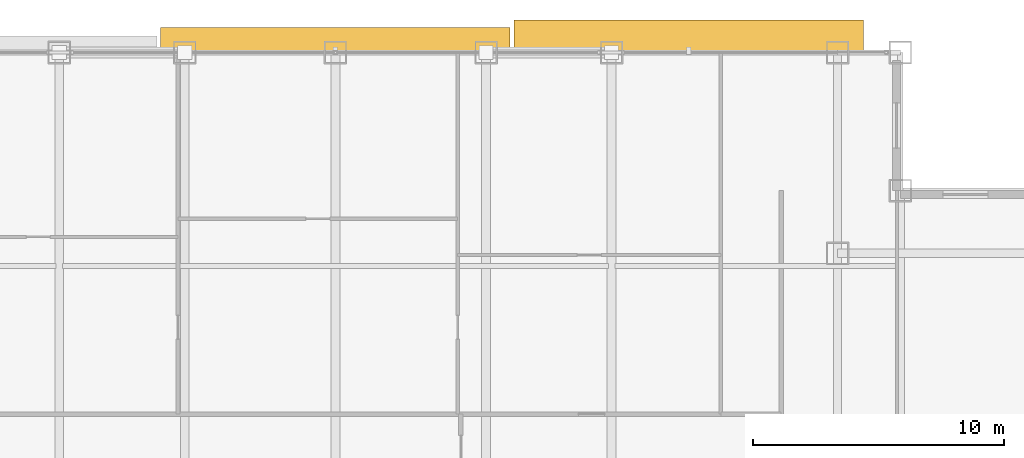
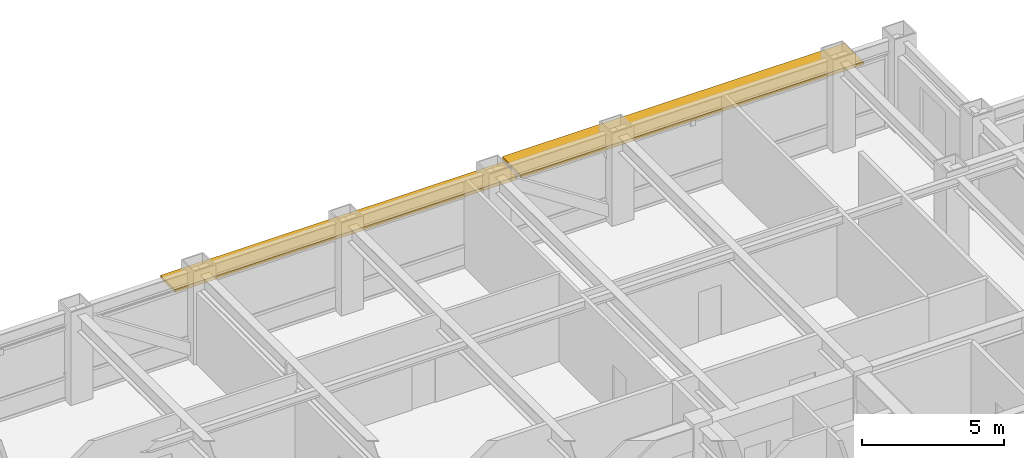
# One storey, part 29 of 29: 2 shading devices.
"""IFC4 building model written with IfcOpenShell, lengths in metres."""

from ifc_helpers import new_model, si_unit, direction, frame, origin, origin_2d, place, context, subcontext, project, spatial, rectangle, extrude, source, transform, mapped, material, layer, layer_set, type_object, element, save


model = new_model("IFC4")

# Units and contexts
model_context = context("Model", 3, precision=1e-05, world=origin(), true_north=direction((0.0, 1.0)))
body_context = subcontext(model_context, "Body", "Model", "MODEL_VIEW")
ifc_project = project(units=[si_unit("LENGTHUNIT", "METRE"), si_unit("AREAUNIT", "SQUARE_METRE"), si_unit("VOLUMEUNIT", "CUBIC_METRE"), si_unit("PLANEANGLEUNIT", "RADIAN"), si_unit("MASSUNIT", "GRAM", prefix="KILO")], contexts=[model_context])

# Site, building, storey
site_placement = place(None, origin())
site = spatial("IfcSite", under=ifc_project, at=site_placement, CompositionType="ELEMENT")
building_placement = place(site_placement, origin())
building = spatial("IfcBuilding", under=site, at=building_placement, Name="Khorayat Bourse Tower", CompositionType="ELEMENT")
storey_placement = place(building_placement, frame((0.0, 0.0, 277.5)))
storey = spatial("IfcBuildingStorey", under=building, at=storey_placement, Name="L65", CompositionType="ELEMENT", Elevation=277.5)

# Shading devices
ifc_material = material(Name="Precast concrete C45/55", Category="concrete")
ifc_layer = layer(ifc_material, 0.139892578125)
ifc_layer_set = layer_set([ifc_layer], Name="Precast concrete C45/55")
shading_device_type = type_object("IfcShadingDeviceType", Name="SHD-WAVE-TRAY-B", PredefinedType="USERDEFINED", material=ifc_layer_set)
shared_shape_1 = source(origin(), body_context, "Body", "SweptSolid", [
    extrude(rectangle(XDim=13.9267578125, YDim=1.017578125, at=origin_2d()), origin(), (0.0, 0.0, 1.0), 0.139892578125),
])
shading_device_1_placement = place(storey_placement, frame((0.0, 28.48876953125, 3.0302734375), z_axis=(0.0, 0.0, 1.0), x_axis=(1.0, 0.0, 0.0)))
element("IfcShadingDevice", 1, at=shading_device_1_placement, inside=storey, type_object=shading_device_type, Name="L65 Sinusoidal Wave Sunshade Tray N-2", ObjectType="SUNSHADE", PredefinedType="USERDEFINED", context=body_context, shape_type="MappedRepresentation", body=[
    mapped(shared_shape_1, transform((0.0, 0.0, 0.0), scale=1.0)),
])
shared_shape_2 = source(origin(), body_context, "Body", "SweptSolid", [
    extrude(rectangle(XDim=13.9267578125, YDim=1.31298828125, at=origin_2d()), origin(), (0.0, 0.0, 1.0), 0.139892578125),
])
shading_device_2_placement = place(storey_placement, frame((14.066650390625, 28.636474609375, 3.0302734375), z_axis=(0.0, 0.0, 1.0), x_axis=(1.0, 0.0, 0.0)))
element("IfcShadingDevice", 2, at=shading_device_2_placement, inside=storey, type_object=shading_device_type, Name="L65 Sinusoidal Wave Sunshade Tray N-3", ObjectType="SUNSHADE", PredefinedType="USERDEFINED", context=body_context, shape_type="MappedRepresentation", body=[
    mapped(shared_shape_2, transform((0.0, 0.0, 0.0), scale=1.0)),
])

save(model, "model.ifc")
